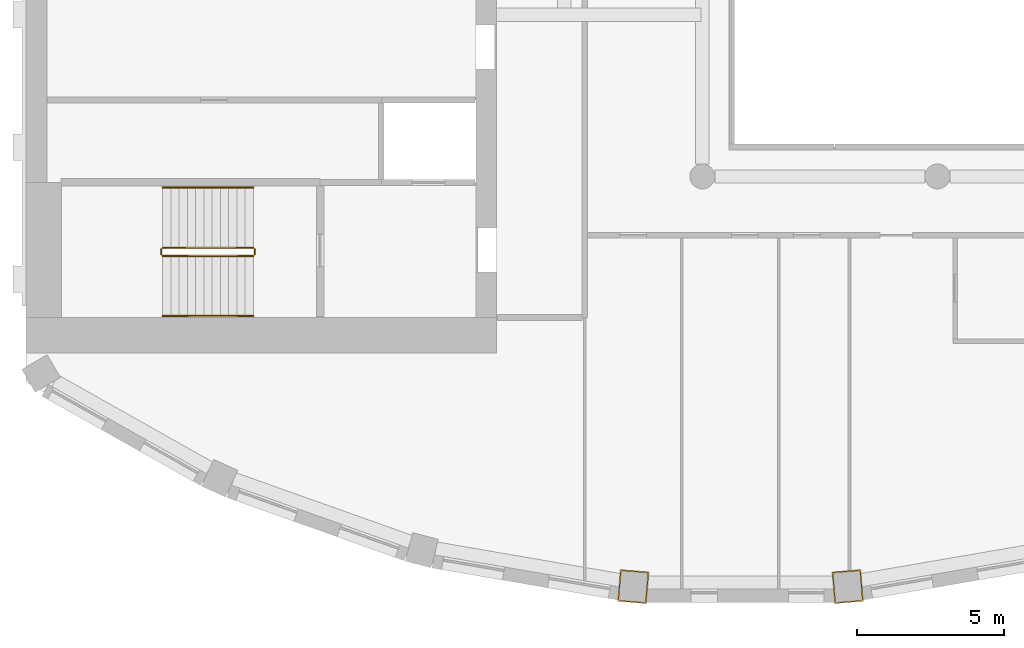
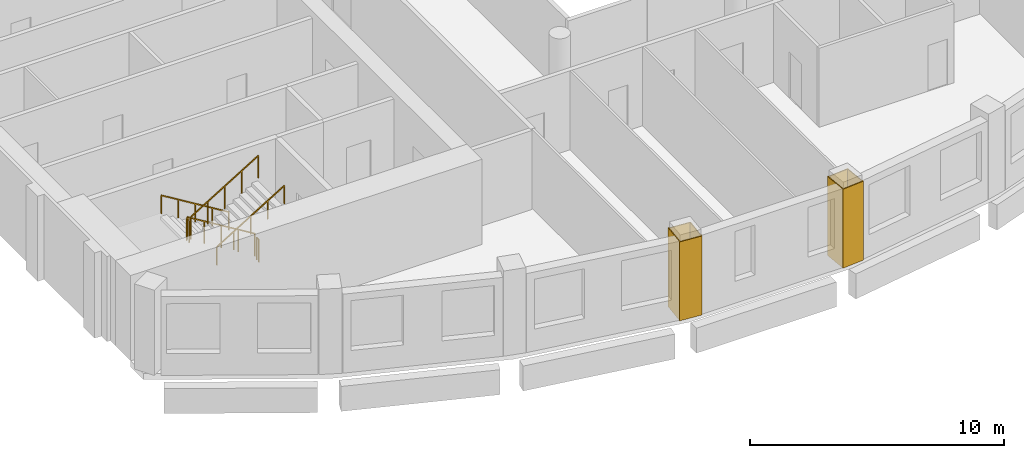
# One storey, part 10 of 14: 6 railings, 2 coverings.
"""IFC4 building model written with IfcOpenShell, lengths in metres."""

import ifcopenshell
import ifcopenshell.guid

model = None  # the IFC model being written
_history = None  # IfcOwnerHistory: only IFC2X3 demands one
_inside = {}  # id of a spatial element -> (the spatial element, [elements in it])
_under = {}  # id of a project, library or spatial element -> (it, [spatial elements below it])
_declared = {}  # id of a project -> (the project, [libraries it declares])
_typed = {}  # id of a type object -> (the type object, [elements of that type])
_made_of = {}  # id of a material, layer set ... -> (it, [elements and type objects made of it])


def new_model(schema):
    """Start an empty IFC model of exactly this schema.

    Asked for "IFC4X3", IfcOpenShell would pick the latest addendum, in which some entities
    have other attributes; the version numbers below select the first issue.
    IFC2X3 requires an IfcOwnerHistory on every rooted entity: one is made here for all.
    """
    global model, _history
    if schema == "IFC4X3":
        model = ifcopenshell.file(schema_version=(4, 3, 0, 0))
    else:
        model = ifcopenshell.file(schema=schema)
    _inside.clear()
    _under.clear()
    _declared.clear()
    _typed.clear()
    _made_of.clear()
    _history = None
    if model.schema == "IFC2X3":
        org = make("IfcOrganization", Name="unknown")
        user = make(
            "IfcPersonAndOrganization",
            ThePerson=make("IfcPerson", FamilyName="unknown"),
            TheOrganization=org,
        )
        app = make(
            "IfcApplication",
            ApplicationDeveloper=org,
            Version="unknown",
            ApplicationFullName="unknown",
            ApplicationIdentifier="unknown",
        )
        _history = make(
            "IfcOwnerHistory",
            OwningUser=user,
            OwningApplication=app,
            ChangeAction="ADDED",
            CreationDate=0,
        )
    return model


def make(cls, **values):
    """One entity of the class cls with the attributes given. An attribute that is None is left unset."""
    return model.create_entity(
        cls, **{name: value for name, value in values.items() if value is not None}
    )


def rooted(cls, **values):
    """An entity with a GlobalId (a new one), such as an element, a storey or a relation."""
    return make(cls, GlobalId=ifcopenshell.guid.new(), OwnerHistory=_history, **values)


def si_unit(unit_type, name, prefix=None):
    """IfcSIUnit, for example si_unit("LENGTHUNIT", "METRE", prefix="MILLI")."""
    return make("IfcSIUnit", UnitType=unit_type, Prefix=prefix, Name=name)


def assignment(units):
    """IfcUnitAssignment: the units of a project."""
    return None if units is None else make("IfcUnitAssignment", Units=units)


def point(xyz):
    """IfcCartesianPoint."""
    return None if xyz is None else make("IfcCartesianPoint", Coordinates=xyz)


def direction(xyz):
    """IfcDirection."""
    return None if xyz is None else make("IfcDirection", DirectionRatios=xyz)


def frame(location, z_axis=None, x_axis=None):
    """IfcAxis2Placement3D, a coordinate frame: its origin and axes. An axis left out is left unset."""
    return make(
        "IfcAxis2Placement3D",
        Location=point(location),
        Axis=direction(z_axis),
        RefDirection=direction(x_axis),
    )


def frame_2d(location, x_axis=None):
    """IfcAxis2Placement2D, a coordinate frame in the plane: its origin and x axis."""
    return make(
        "IfcAxis2Placement2D", Location=point(location), RefDirection=direction(x_axis)
    )


def origin():
    """The frame at (0, 0, 0) with its axes left unset."""
    return frame((0.0, 0.0, 0.0))


def origin_2d():
    """The frame at (0, 0) in the plane with its x axis left unset."""
    return frame_2d((0.0, 0.0))


def place(relative_to, where):
    """IfcLocalPlacement: puts the frame where relative to a parent placement (None: the world)."""
    return make(
        "IfcLocalPlacement", PlacementRelTo=relative_to, RelativePlacement=where
    )


def context(
    kind, dimensions, precision=None, world=None, true_north=None, identifier=None
):
    """IfcGeometricRepresentationContext, for example the 3D "Model" context."""
    return make(
        "IfcGeometricRepresentationContext",
        ContextIdentifier=identifier,
        ContextType=kind,
        CoordinateSpaceDimension=dimensions,
        Precision=precision,
        WorldCoordinateSystem=world,
        TrueNorth=true_north,
    )


def subcontext(parent, identifier, kind, view, scale=None):
    """IfcGeometricRepresentationSubContext, for example "Body" below "Model"."""
    return make(
        "IfcGeometricRepresentationSubContext",
        ContextIdentifier=identifier,
        ContextType=kind,
        ParentContext=parent,
        TargetScale=scale,
        TargetView=view,
    )


def project(units=None, contexts=None):
    """IfcProject with its units and contexts."""
    return rooted(
        "IfcProject",
        Name="project",
        RepresentationContexts=contexts,
        UnitsInContext=assignment(units),
    )


def spatial(cls, under=None, at=None, **own):
    """A site, building, storey or space (cls), placed at a placement, below another one or the project."""
    s = rooted(cls, ObjectPlacement=at, **own)
    if under is not None:
        _under.setdefault(under.id(), (under, []))[1].append(s)
    return s


def polyline(points):
    """IfcPolyline through the points."""
    return make("IfcPolyline", Points=[point(p) for p in points])


def profile(cls, at=None, kind="AREA", **sizes):
    """A parametric profile (cls). Its sizes go by their IFC names, for example OverallWidth=200.0."""
    return make(cls, ProfileType=kind, Position=at, **sizes)


def rectangle(**sizes):
    """IfcRectangleProfileDef."""
    return profile("IfcRectangleProfileDef", **sizes)


def outline(outer, holes=None, kind="AREA"):
    """IfcArbitraryClosedProfileDef: a profile drawn as a closed curve; with holes, ...WithVoids."""
    if holes is None:
        return make("IfcArbitraryClosedProfileDef", ProfileType=kind, OuterCurve=outer)
    return make(
        "IfcArbitraryProfileDefWithVoids",
        ProfileType=kind,
        OuterCurve=outer,
        InnerCurves=holes,
    )


def extrude(swept, where, along, depth):
    """IfcExtrudedAreaSolid: the profile swept, set in the frame where, extruded along a direction by depth."""
    return make(
        "IfcExtrudedAreaSolid",
        SweptArea=swept,
        Position=where,
        ExtrudedDirection=direction(along),
        Depth=depth,
    )


def shape(context_of_items, identifier, shape_type, items):
    """IfcShapeRepresentation: the items that make up one representation, for example the "Body"."""
    return make(
        "IfcShapeRepresentation",
        ContextOfItems=context_of_items,
        RepresentationIdentifier=identifier,
        RepresentationType=shape_type,
        Items=items,
    )


def material(Name=None, Category=None):
    """IfcMaterial."""
    return make("IfcMaterial", Name=Name, Category=Category)


def layer(
    of_material, thickness, ventilated=None, Name=None, Category=None, Priority=None
):
    """IfcMaterialLayer: one layer of a wall or slab, of a material (None: an air gap)."""
    return make(
        "IfcMaterialLayer",
        Material=of_material,
        LayerThickness=thickness,
        IsVentilated=ventilated,
        Name=Name,
        Category=Category,
        Priority=Priority,
    )


def layer_set(layers, Name=None):
    """IfcMaterialLayerSet."""
    return make("IfcMaterialLayerSet", MaterialLayers=layers, LayerSetName=Name)


def made_of(thing, what):
    """Note that an element or type object is made of a material, layer set ...; save() writes the relation."""
    if what is not None:
        _made_of.setdefault(what.id(), (what, []))[1].append(thing)
    return thing


def type_object(cls, material=None, **own):
    """A type object (cls), such as IfcWallType, which elements share."""
    return made_of(rooted(cls, **own), material)


def element(
    cls,
    number,
    at=None,
    inside=None,
    cuts=None,
    type_object=None,
    material=None,
    context=None,
    identifier="Body",
    shape_type=None,
    held_by="IfcProductDefinitionShape",
    body=None,
    shapes=None,
    **own,
):
    """One element of the class cls, such as IfcWall. Its Tag is "e" and its number.

    at: its placement. inside: the storey or other place that contains it. cuts: it is an
    opening in that element (IfcRelVoidsElement). A single representation is given by context,
    identifier, shape_type and body (its items); several are given by shapes. held_by: the class
    of the entity that holds the representations. save() writes the other relations.
    """
    e = rooted(cls, Tag="e%d" % number, ObjectPlacement=at, **own)
    if body is not None:
        shapes = [shape(context, identifier, shape_type, body)]
    if shapes is not None:
        e.Representation = make(held_by, Representations=shapes)
    if inside is not None:
        _inside.setdefault(inside.id(), (inside, []))[1].append(e)
    if cuts is not None:
        rooted(
            "IfcRelVoidsElement", RelatingBuildingElement=cuts, RelatedOpeningElement=e
        )
    if type_object is not None:
        _typed.setdefault(type_object.id(), (type_object, []))[1].append(e)
    return made_of(e, material)


def aggregate(whole, parts):
    """IfcRelAggregates: a whole, such as a stair, and the parts it consists of."""
    return rooted("IfcRelAggregates", RelatingObject=whole, RelatedObjects=parts)


def save(model, path):
    """Write the relations noted so far, then the file.

    IfcRelAggregates (storeys below a building ...), IfcRelContainedInSpatialStructure (elements
    in a storey), IfcRelDefinesByType, IfcRelAssociatesMaterial and IfcRelDeclares: one each for
    every whole, place, type object, material and project.
    """
    for whole, parts in _under.values():
        aggregate(whole, parts)
    for where, things in _inside.values():
        rooted(
            "IfcRelContainedInSpatialStructure",
            RelatedElements=things,
            RelatingStructure=where,
        )
    for kind, things in _typed.values():
        rooted("IfcRelDefinesByType", RelatedObjects=things, RelatingType=kind)
    for what, things in _made_of.values():
        rooted("IfcRelAssociatesMaterial", RelatedObjects=things, RelatingMaterial=what)
    for by, libraries in _declared.values():
        rooted("IfcRelDeclares", RelatingContext=by, RelatedDefinitions=libraries)
    model.write(path)


model = new_model("IFC4")

# Units and contexts
model_context = context("Model", 3, precision=1e-05, world=origin(), true_north=direction((0.0, 1.0)))
body_context = subcontext(model_context, "Body", "Model", "MODEL_VIEW")
ifc_project = project(units=[si_unit("LENGTHUNIT", "METRE"), si_unit("AREAUNIT", "SQUARE_METRE"), si_unit("VOLUMEUNIT", "CUBIC_METRE"), si_unit("PLANEANGLEUNIT", "RADIAN"), si_unit("MASSUNIT", "GRAM", prefix="KILO")], contexts=[model_context])

# Site, building, storey
site_placement = place(None, origin())
site = spatial("IfcSite", under=ifc_project, at=site_placement, CompositionType="ELEMENT")
building_placement = place(site_placement, origin())
building = spatial("IfcBuilding", under=site, at=building_placement, Name="Cypress Arch Tower", CompositionType="ELEMENT")
storey_placement = place(building_placement, frame((0.0, 0.0, 280.300048828125)))
storey = spatial("IfcBuildingStorey", under=building, at=storey_placement, Name="L63", CompositionType="ELEMENT", Elevation=280.300048828125)

# Coverings
ifc_material_1 = material(Name="Painted plasterboard column casing")
ifc_layer = layer(ifc_material_1, 0.0400390625)
ifc_layer_set = layer_set([ifc_layer], Name="Column casing CK40")
covering_type = type_object("IfcCoveringType", Name="Column casing CK40", PredefinedType="CLADDING", material=ifc_layer_set)
covering_1_placement = place(storey_placement, origin())
element("IfcCovering", 1, at=covering_1_placement, inside=storey, type_object=covering_type, Name="Column casing L63 CC14", PredefinedType="CLADDING", context=body_context, shape_type="SweptSolid", body=[
    extrude(outline(polyline([(-9.881103515625, -24.44970703125), (-9.789306640625, -23.373779296875), (-8.812744140625, -23.457275390625), (-8.90478515625, -24.533203125), (-9.881103515625, -24.44970703125)]), holes=[polyline([(-9.837890625, -24.413330078125), (-8.941162109375, -24.489990234375), (-8.85595703125, -23.49365234375), (-9.752685546875, -23.4169921875), (-9.837890625, -24.413330078125)])]), origin(), (0.0, 0.0, 1.0), 3.800048828125),
])
covering_2_placement = place(storey_placement, origin())
element("IfcCovering", 2, at=covering_2_placement, inside=storey, type_object=covering_type, Name="Column casing L63 CC15", PredefinedType="CLADDING", context=body_context, shape_type="SweptSolid", body=[
    extrude(outline(polyline([(-2.495361328125, -24.533203125), (-2.587158203125, -23.457275390625), (-1.61083984375, -23.373779296875), (-1.518798828125, -24.44970703125), (-2.495361328125, -24.533203125)]), holes=[polyline([(-2.458740234375, -24.489990234375), (-1.56201171875, -24.413330078125), (-1.647216796875, -23.4169921875), (-2.5439453125, -23.49365234375), (-2.458740234375, -24.489990234375)])]), origin(), (0.0, 0.0, 1.0), 3.800048828125),
])

# Railings
ifc_material_2 = material(Name="Black powder-coated steel square bar 48 mm", Category="steel")
railing_type_1 = type_object("IfcRailingType", Name="Stair handrail HR1", PredefinedType="HANDRAIL", material=ifc_material_2)
railing_1_placement = place(storey_placement, frame((-22.27490234375, -10.375, 0.1708984375)))
element("IfcRailing", 3, at=railing_1_placement, inside=storey, type_object=railing_type_1, Name="L63 A stair handrail 1", PredefinedType="HANDRAIL", context=body_context, shape_type="SweptSolid", body=[
    extrude(rectangle(XDim=0.048095703125, YDim=0.048095703125, at=origin_2d()), frame((0.0, 0.0, 0.8759765625), z_axis=(-0.853666305674, 0.0, 0.52082035152), x_axis=(0.0, -1.0, 0.0)), (0.0, 0.0, 1.0), 3.608154296875),
    extrude(rectangle(XDim=0.0419921875, YDim=0.0419921875, at=origin_2d()), origin(), (0.0, 0.0, 1.0), 0.851806640625),
    extrude(rectangle(XDim=0.0419921875, YDim=0.0419921875, at=origin_2d()), frame((-0.77001953125, 0.0, 0.4697265625)), (0.0, 0.0, 1.0), 0.851806640625),
    extrude(rectangle(XDim=0.0419921875, YDim=0.0419921875, at=origin_2d()), frame((-1.5400390625, 0.0, 0.939453125)), (0.0, 0.0, 1.0), 0.851806640625),
    extrude(rectangle(XDim=0.0419921875, YDim=0.0419921875, at=origin_2d()), frame((-2.31005859375, 0.0, 1.409423828125)), (0.0, 0.0, 1.0), 0.851806640625),
    extrude(rectangle(XDim=0.0419921875, YDim=0.0419921875, at=origin_2d()), frame((-3.080078125, 0.0, 1.879150390625)), (0.0, 0.0, 1.0), 0.851806640625),
])
railing_2_placement = place(storey_placement, frame((-25.35498046875, -14.75, 2.220703125)))
element("IfcRailing", 4, at=railing_2_placement, inside=storey, type_object=railing_type_1, Name="L63 A stair handrail 2", PredefinedType="HANDRAIL", context=body_context, shape_type="SweptSolid", body=[
    extrude(rectangle(XDim=0.048095703125, YDim=0.048095703125, at=origin_2d()), frame((0.0, 0.0, 0.8759765625), z_axis=(0.853666305674, 0.0, 0.52082035152), x_axis=(0.0, 1.0, 0.0)), (0.0, 0.0, 1.0), 3.608154296875),
    extrude(rectangle(XDim=0.0419921875, YDim=0.0419921875, at=origin_2d()), origin(), (0.0, 0.0, 1.0), 0.851806640625),
    extrude(rectangle(XDim=0.0419921875, YDim=0.0419921875, at=origin_2d()), frame((0.77001953125, 0.0, 0.4697265625)), (0.0, 0.0, 1.0), 0.851806640625),
    extrude(rectangle(XDim=0.0419921875, YDim=0.0419921875, at=origin_2d()), frame((1.5400390625, 0.0, 0.939453125)), (0.0, 0.0, 1.0), 0.851806640625),
    extrude(rectangle(XDim=0.0419921875, YDim=0.0419921875, at=origin_2d()), frame((2.31005859375, 0.0, 1.409423828125)), (0.0, 0.0, 1.0), 0.851806640625),
    extrude(rectangle(XDim=0.0419921875, YDim=0.0419921875, at=origin_2d()), frame((3.080078125, 0.0, 1.879150390625)), (0.0, 0.0, 1.0), 0.851806640625),
])
ifc_material_3 = material(Name="Black powder-coated steel balusters", Category="steel")
railing_type_2 = type_object("IfcRailingType", Name="Stair well guard G1", PredefinedType="GUARDRAIL", material=ifc_material_3)
railing_3_placement = place(storey_placement, frame((-22.27490234375, -12.425048828125, 0.1708984375)))
element("IfcRailing", 5, at=railing_3_placement, inside=storey, type_object=railing_type_2, Name="L63 A stair guard 1", PredefinedType="GUARDRAIL", context=body_context, shape_type="SweptSolid", body=[
    extrude(rectangle(XDim=0.048095703125, YDim=0.048095703125, at=origin_2d()), frame((0.0, 0.0, 1.076171875), z_axis=(-0.853666305674, 0.0, 0.52082035152), x_axis=(0.0, -1.0, 0.0)), (0.0, 0.0, 1.0), 3.608154296875),
    extrude(rectangle(XDim=0.0419921875, YDim=0.0419921875, at=origin_2d()), origin(), (0.0, 0.0, 1.0), 1.052001953125),
    extrude(rectangle(XDim=0.0419921875, YDim=0.0419921875, at=origin_2d()), frame((-0.77001953125, 0.0, 0.4697265625)), (0.0, 0.0, 1.0), 1.052001953125),
    extrude(rectangle(XDim=0.0419921875, YDim=0.0419921875, at=origin_2d()), frame((-1.5400390625, 0.0, 0.939453125)), (0.0, 0.0, 1.0), 1.052001953125),
    extrude(rectangle(XDim=0.0419921875, YDim=0.0419921875, at=origin_2d()), frame((-2.31005859375, 0.0, 1.409423828125)), (0.0, 0.0, 1.0), 1.052001953125),
    extrude(rectangle(XDim=0.0419921875, YDim=0.0419921875, at=origin_2d()), frame((-3.080078125, 0.0, 1.879150390625)), (0.0, 0.0, 1.0), 1.052001953125),
])
railing_4_placement = place(storey_placement, frame((-25.405029296875, -12.47509765625, 2.050048828125)))
element("IfcRailing", 6, at=railing_4_placement, inside=storey, type_object=railing_type_2, Name="L63 A stair guard 2", PredefinedType="GUARDRAIL", context=body_context, shape_type="SweptSolid", body=[
    extrude(rectangle(XDim=0.048095703125, YDim=0.048095703125, at=origin_2d()), frame((0.0, 0.0, 1.076171875), z_axis=(0.0, -1.0, 0.0), x_axis=(1.0, 0.0, 0.0)), (0.0, 0.0, 1.0), 0.1748046875),
    extrude(rectangle(XDim=0.0419921875, YDim=0.0419921875, at=origin_2d()), origin(), (0.0, 0.0, 1.0), 1.052001953125),
    extrude(rectangle(XDim=0.0419921875, YDim=0.0419921875, at=origin_2d()), frame((0.0, -0.1748046875, 0.0)), (0.0, 0.0, 1.0), 1.052001953125),
])
railing_5_placement = place(storey_placement, frame((-25.35498046875, -12.699951171875, 2.220703125)))
element("IfcRailing", 7, at=railing_5_placement, inside=storey, type_object=railing_type_2, Name="L63 A stair guard 3", PredefinedType="GUARDRAIL", context=body_context, shape_type="SweptSolid", body=[
    extrude(rectangle(XDim=0.048095703125, YDim=0.048095703125, at=origin_2d()), frame((0.0, 0.0, 1.076171875), z_axis=(0.853666305674, 0.0, 0.52082035152), x_axis=(0.0, 1.0, 0.0)), (0.0, 0.0, 1.0), 3.608154296875),
    extrude(rectangle(XDim=0.0419921875, YDim=0.0419921875, at=origin_2d()), origin(), (0.0, 0.0, 1.0), 1.052001953125),
    extrude(rectangle(XDim=0.0419921875, YDim=0.0419921875, at=origin_2d()), frame((0.77001953125, 0.0, 0.4697265625)), (0.0, 0.0, 1.0), 1.052001953125),
    extrude(rectangle(XDim=0.0419921875, YDim=0.0419921875, at=origin_2d()), frame((1.5400390625, 0.0, 0.939453125)), (0.0, 0.0, 1.0), 1.052001953125),
    extrude(rectangle(XDim=0.0419921875, YDim=0.0419921875, at=origin_2d()), frame((2.31005859375, 0.0, 1.409423828125)), (0.0, 0.0, 1.0), 1.052001953125),
    extrude(rectangle(XDim=0.0419921875, YDim=0.0419921875, at=origin_2d()), frame((3.080078125, 0.0, 1.879150390625)), (0.0, 0.0, 1.0), 1.052001953125),
])
railing_6_placement = place(storey_placement, frame((-22.22509765625, -12.47509765625, 0.0)))
element("IfcRailing", 8, at=railing_6_placement, inside=storey, type_object=railing_type_2, Name="L63 A stair guard 4", PredefinedType="GUARDRAIL", context=body_context, shape_type="SweptSolid", body=[
    extrude(rectangle(XDim=0.048095703125, YDim=0.048095703125, at=origin_2d()), frame((0.0, 0.0, 1.076171875), z_axis=(0.0, -1.0, 0.0), x_axis=(1.0, 0.0, 0.0)), (0.0, 0.0, 1.0), 0.1748046875),
    extrude(rectangle(XDim=0.0419921875, YDim=0.0419921875, at=origin_2d()), origin(), (0.0, 0.0, 1.0), 1.052001953125),
    extrude(rectangle(XDim=0.0419921875, YDim=0.0419921875, at=origin_2d()), frame((0.0, -0.1748046875, 0.0)), (0.0, 0.0, 1.0), 1.052001953125),
])

save(model, "model.ifc")
